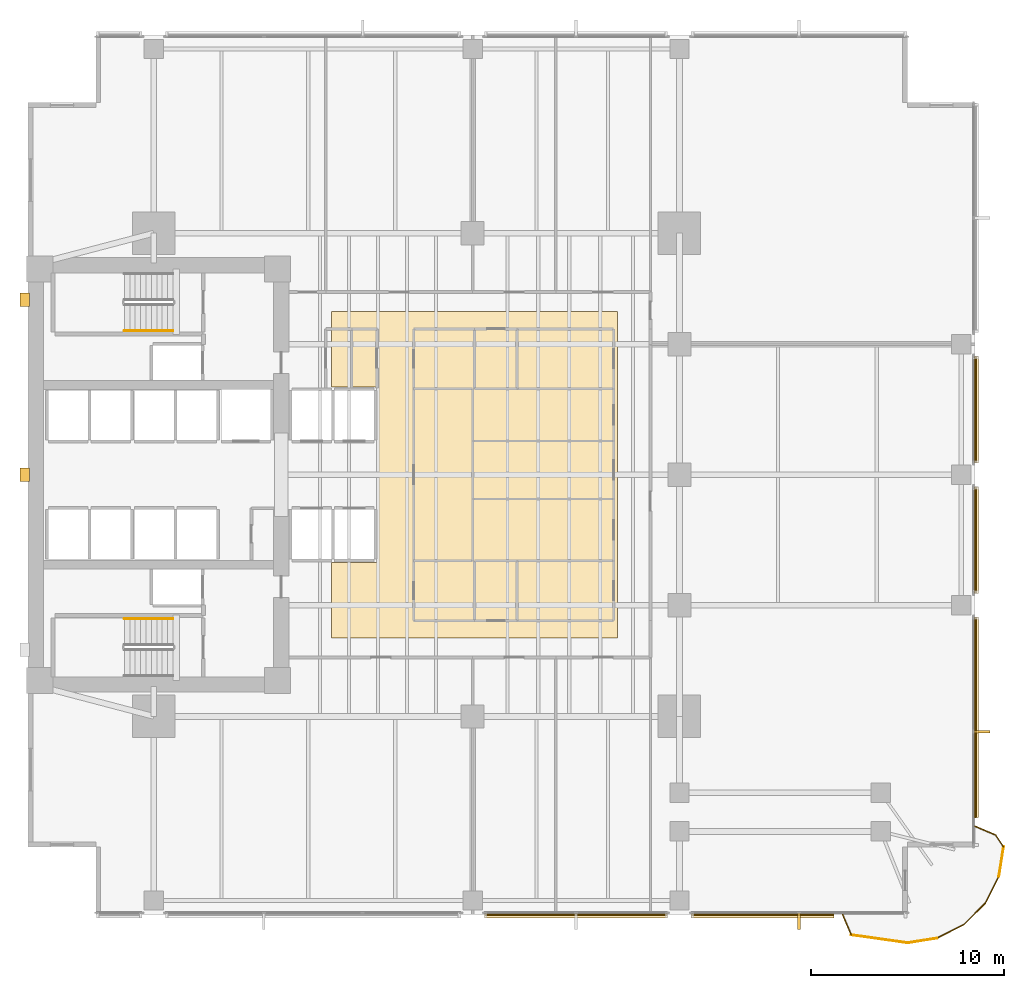
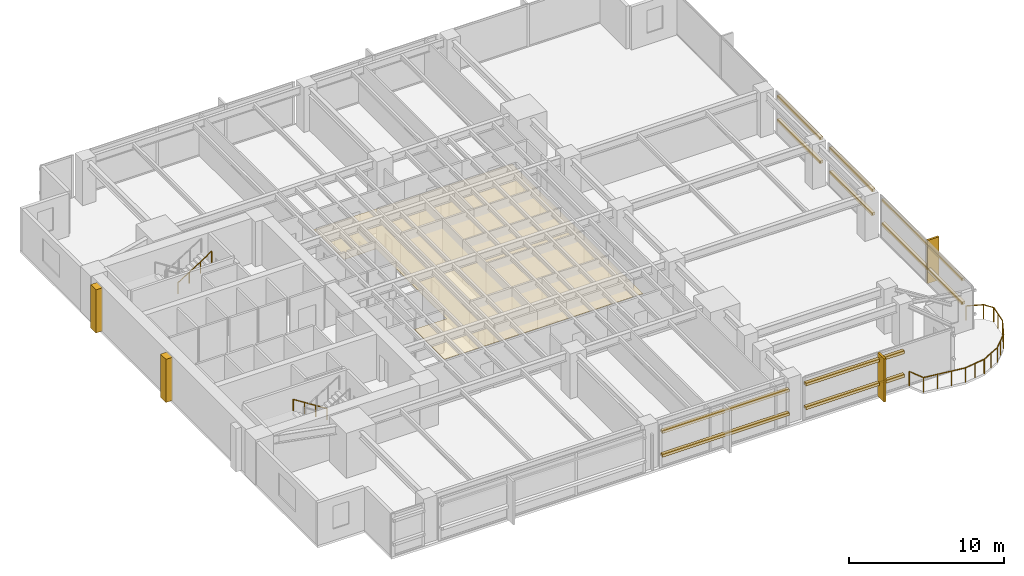
# One storey, part 13 of 15: 15 coverings, 11 railings, 10 shading devices.
"""IFC4 building model written with IfcOpenShell, lengths in metres."""

from ifc_helpers import new_model, si_unit, direction, frame, origin, origin_2d, place, context, subcontext, project, spatial, polyline, rectangle, circle, outline, extrude, material, layer, layer_set, material_profile, profile_set, type_object, element, save


model = new_model("IFC4")

# Units and contexts
model_context = context("Model", 3, precision=1e-05, world=origin(), true_north=direction((0.0, 1.0)))
body_context = subcontext(model_context, "Body", "Model", "MODEL_VIEW")
ifc_project = project(units=[si_unit("LENGTHUNIT", "METRE"), si_unit("AREAUNIT", "SQUARE_METRE"), si_unit("VOLUMEUNIT", "CUBIC_METRE"), si_unit("PLANEANGLEUNIT", "RADIAN"), si_unit("MASSUNIT", "GRAM", prefix="KILO")], contexts=[model_context])

# Site, building, storey
site_placement = place(None, origin())
site = spatial("IfcSite", under=ifc_project, at=site_placement, CompositionType="ELEMENT")
building_placement = place(site_placement, origin())
building = spatial("IfcBuilding", under=site, at=building_placement, Name="Kinhvarn Gate Tower", CompositionType="ELEMENT")
storey_placement = place(building_placement, frame((0.0, 0.0, 75.300048828125)))
storey = spatial("IfcBuildingStorey", under=building, at=storey_placement, Name="L19", CompositionType="ELEMENT", Elevation=75.300048828125)

# Coverings
ifc_material_1 = material(Name="Fired architectural terracotta", Category="masonry")
ifc_layer_1 = layer(ifc_material_1, 0.239990234375)
ifc_layer_set_1 = layer_set([ifc_layer_1], Name="Fired architectural terracotta")
covering_type_1 = type_object("IfcCoveringType", Name="COV-BAG-220", PredefinedType="CLADDING", material=ifc_layer_set_1)
for number, where, name in (
    (1, (0.0, 0.0, 0.93994140625), "Terracotta Horizontal Sunscreen Band TBG-220 (L19)"),
    (2, (0.0, 0.0, 2.81005859375), "Terracotta Horizontal Sunscreen Band TBG-220 (L19)"),
):
    element("IfcCovering", number, at=place(storey_placement, frame(where)), inside=storey, type_object=covering_type_1, Name=name, PredefinedType="CLADDING", context=body_context, shape_type="SweptSolid", body=[
        extrude(outline(polyline([(28.1201171875, 2.56005859375), (37.580078125, 2.56005859375), (37.580078125, 2.320068359375), (28.1201171875, 2.320068359375), (28.1201171875, 2.56005859375)])), origin(), (0.0, 0.0, 1.0), 0.219970703125),
    ])
for number, where, name in (
    (3, (0.0, 0.0, 0.93994140625), "Terracotta Horizontal Sunscreen Band TBG-220 (L19)"),
    (4, (0.0, 0.0, 2.81005859375), "Terracotta Horizontal Sunscreen Band TBG-220 (L19)"),
):
    element("IfcCovering", number, at=place(storey_placement, frame(where)), inside=storey, type_object=covering_type_1, Name=name, PredefinedType="CLADDING", context=body_context, shape_type="SweptSolid", body=[
        extrude(outline(polyline([(38.820068359375, 2.56005859375), (46.18994140625, 2.56005859375), (46.18994140625, 2.320068359375), (38.820068359375, 2.320068359375), (38.820068359375, 2.56005859375)])), origin(), (0.0, 0.0, 1.0), 0.219970703125),
    ])
for number, where, name in (
    (5, (0.0, 0.0, 0.93994140625), "Terracotta Horizontal Sunscreen Band TBG-220 (L19)"),
    (6, (0.0, 0.0, 2.81005859375), "Terracotta Horizontal Sunscreen Band TBG-220 (L19)"),
):
    element("IfcCovering", number, at=place(storey_placement, frame(where)), inside=storey, type_object=covering_type_1, Name=name, PredefinedType="CLADDING", context=body_context, shape_type="SweptSolid", body=[
        extrude(outline(polyline([(53.43994140625, 7.513916015625), (53.43994140625, 17.8798828125), (53.679931640625, 17.8798828125), (53.679931640625, 7.513916015625), (53.43994140625, 7.513916015625)])), origin(), (0.0, 0.0, 1.0), 0.219970703125),
    ])
for number, where, name in (
    (7, (0.0, 0.0, 0.93994140625), "Terracotta Horizontal Sunscreen Band TBG-220 (L19)"),
    (8, (0.0, 0.0, 2.81005859375), "Terracotta Horizontal Sunscreen Band TBG-220 (L19)"),
):
    element("IfcCovering", number, at=place(storey_placement, frame(where)), inside=storey, type_object=covering_type_1, Name=name, PredefinedType="CLADDING", context=body_context, shape_type="SweptSolid", body=[
        extrude(outline(polyline([(53.43994140625, 19.1201171875), (53.43994140625, 24.6298828125), (53.679931640625, 24.6298828125), (53.679931640625, 19.1201171875), (53.43994140625, 19.1201171875)])), origin(), (0.0, 0.0, 1.0), 0.219970703125),
    ])
for number, where, name in (
    (9, (0.0, 0.0, 0.93994140625), "Terracotta Horizontal Sunscreen Band TBG-220 (L19)"),
    (10, (0.0, 0.0, 2.81005859375), "Terracotta Horizontal Sunscreen Band TBG-220 (L19)"),
):
    element("IfcCovering", number, at=place(storey_placement, frame(where)), inside=storey, type_object=covering_type_1, Name=name, PredefinedType="CLADDING", context=body_context, shape_type="SweptSolid", body=[
        extrude(outline(polyline([(53.43994140625, 25.8701171875), (53.43994140625, 31.3798828125), (53.679931640625, 31.3798828125), (53.679931640625, 25.8701171875), (53.43994140625, 25.8701171875)])), origin(), (0.0, 0.0, 1.0), 0.219970703125),
    ])
ifc_material_2 = material(Name="Mineral-fibre acoustic ceiling tile")
ifc_layer_2 = layer(ifc_material_2, 0.02001953125)
ifc_layer_set_2 = layer_set([ifc_layer_2], Name="Mineral-fibre acoustic ceiling tile")
covering_type_2 = type_object("IfcCoveringType", Name="COV-CEIL-20", PredefinedType="CEILING", material=ifc_layer_set_2)
covering_1_placement = place(storey_placement, frame((0.0, 0.0, 2.64990234375)))
element("IfcCovering", 11, at=covering_1_placement, inside=storey, type_object=covering_type_2, Name="Suspended Acoustic Ceiling Tile (L19-1)", PredefinedType="CEILING", context=body_context, shape_type="SweptSolid", body=[
    extrude(outline(polyline([(35.0, 33.699951171875), (35.0, 16.800048828125), (20.199951171875, 16.800048828125), (20.199951171875, 20.699951171875), (22.60009765625, 20.699951171875), (22.60009765625, 29.800048828125), (20.199951171875, 29.800048828125), (20.199951171875, 33.699951171875), (35.0, 33.699951171875)])), origin(), (0.0, 0.0, 1.0), 0.02001953125),
])
ifc_layer_3 = layer(ifc_material_1, 0.139892578125)
ifc_layer_set_3 = layer_set([ifc_layer_3], Name="Fired architectural terracotta")
covering_type_3 = type_object("IfcCoveringType", Name="COV-FIN-850", PredefinedType="CLADDING", material=ifc_layer_set_3)
covering_2_placement = place(storey_placement, frame((0.0, 0.0, -0.02001953125)))
element("IfcCovering", 12, at=covering_2_placement, inside=storey, type_object=covering_type_3, Name="Vertical Terracotta Expressive Fin TFN-850 (L19)", PredefinedType="CLADDING", context=body_context, shape_type="SweptSolid", body=[
    extrude(outline(polyline([(44.320068359375, 2.570068359375), (44.4599609375, 2.570068359375), (44.4599609375, 1.719970703125), (44.320068359375, 1.719970703125), (44.320068359375, 2.570068359375)])), origin(), (0.0, 0.0, 1.0), 3.409912109375),
])
covering_3_placement = place(storey_placement, frame((0.0, 0.0, -0.02001953125)))
element("IfcCovering", 13, at=covering_3_placement, inside=storey, type_object=covering_type_3, Name="Vertical Terracotta Expressive Fin TFN-850 (L19)", PredefinedType="CLADDING", context=body_context, shape_type="SweptSolid", body=[
    extrude(outline(polyline([(53.429931640625, 11.889892578125), (53.429931640625, 12.030029296875), (54.280029296875, 12.030029296875), (54.280029296875, 11.889892578125), (53.429931640625, 11.889892578125)])), origin(), (0.0, 0.0, 1.0), 3.409912109375),
])
ifc_material_3 = material(Name="Precast white architectural concrete C40/50", Category="concrete")
ifc_layer_4 = layer(ifc_material_3, 0.47998046875)
ifc_layer_set_4 = layer_set([ifc_layer_4], Name="Precast white architectural concrete C40/50")
covering_type_4 = type_object("IfcCoveringType", Name="COV-RIB-450", PredefinedType="CLADDING", material=ifc_layer_set_4)
covering_4_placement = place(storey_placement, frame((0.0, 0.0, -0.02001953125)))
element("IfcCovering", 14, at=covering_4_placement, inside=storey, type_object=covering_type_4, Name="West Core Sculptural Concrete Relief Rib CRB-450 (L19)", PredefinedType="CLADDING", context=body_context, shape_type="SweptSolid", body=[
    extrude(outline(polyline([(4.080078125, 24.89990234375), (4.56005859375, 24.89990234375), (4.56005859375, 25.60009765625), (4.080078125, 25.60009765625), (4.080078125, 24.89990234375)])), origin(), (0.0, 0.0, 1.0), 3.409912109375),
])
covering_5_placement = place(storey_placement, frame((0.0, 0.0, -0.02001953125)))
element("IfcCovering", 15, at=covering_5_placement, inside=storey, type_object=covering_type_4, Name="West Core Sculptural Concrete Relief Rib CRB-450 (L19)", PredefinedType="CLADDING", context=body_context, shape_type="SweptSolid", body=[
    extrude(outline(polyline([(4.080078125, 33.949951171875), (4.56005859375, 33.949951171875), (4.56005859375, 34.64990234375), (4.080078125, 34.64990234375), (4.080078125, 33.949951171875)])), origin(), (0.0, 0.0, 1.0), 3.409912109375),
])

# Railings
ifc_material_4 = material(Name="Clear low-e double glazing", Category="glass")
railing_type_1 = type_object("IfcRailingType", Name="RL-BAL-1150", PredefinedType="BALUSTRADE", material=ifc_material_4)
railing_1_placement = place(storey_placement, frame((46.639892578125, 2.5, 0.0)))
element("IfcRailing", 16, at=railing_1_placement, inside=storey, type_object=railing_type_1, Name="S-Carve Balcony Guardrail Seg 1 (L19)", PredefinedType="BALUSTRADE", context=body_context, shape_type="SweptSolid", body=[
    extrude(circle(Radius=0.02392578125, at=origin_2d()), frame((0.0, 0.0, 1.1259765625), z_axis=(0.391892046363, -0.920011208626, 0.0), x_axis=(0.920011208626, 0.391892046363, 0.0)), (0.0, 0.0, 1.0), 1.148681640625),
    extrude(circle(Radius=0.02099609375, at=origin_2d()), origin(), (0.0, 0.0, 1.0), 1.101806640625),
    extrude(circle(Radius=0.02099609375, at=origin_2d()), frame((0.4501953125, -1.056884765625, 0.0)), (0.0, 0.0, 1.0), 1.101806640625),
])
railing_2_placement = place(storey_placement, frame((47.090087890625, 1.443115234375, 0.0)))
element("IfcRailing", 17, at=railing_2_placement, inside=storey, type_object=railing_type_1, Name="S-Carve Balcony Guardrail Seg 2 (L19)", PredefinedType="BALUSTRADE", context=body_context, shape_type="SweptSolid", body=[
    extrude(circle(Radius=0.02392578125, at=origin_2d()), frame((0.0, 0.0, 1.1259765625), z_axis=(0.990165976629, -0.139897600859, 0.0), x_axis=(0.139897600859, 0.990165976629, 0.0)), (0.0, 0.0, 1.0), 2.938720703125),
    extrude(circle(Radius=0.02099609375, at=origin_2d()), origin(), (0.0, 0.0, 1.0), 1.101806640625),
    extrude(circle(Radius=0.02099609375, at=origin_2d()), frame((0.969970703125, -0.136962890625, 0.0)), (0.0, 0.0, 1.0), 1.101806640625),
    extrude(circle(Radius=0.02099609375, at=origin_2d()), frame((1.93994140625, -0.274169921875, 0.0)), (0.0, 0.0, 1.0), 1.101806640625),
    extrude(circle(Radius=0.02099609375, at=origin_2d()), frame((2.909912109375, -0.4111328125, 0.0)), (0.0, 0.0, 1.0), 1.101806640625),
])
railing_3_placement = place(storey_placement, frame((50.0, 1.031982421875, 0.0)))
element("IfcRailing", 18, at=railing_3_placement, inside=storey, type_object=railing_type_1, Name="S-Carve Balcony Guardrail Seg 3 (L19)", PredefinedType="BALUSTRADE", context=body_context, shape_type="SweptSolid", body=[
    extrude(circle(Radius=0.02392578125, at=origin_2d()), frame((0.0, 0.0, 1.1259765625), z_axis=(0.987686431995, 0.156446514992, 0.0), x_axis=(-0.156446514992, 0.987686431995, 0.0)), (0.0, 0.0, 1.0), 1.55419921875),
    extrude(circle(Radius=0.02099609375, at=origin_2d()), origin(), (0.0, 0.0, 1.0), 1.101806640625),
    extrude(circle(Radius=0.02099609375, at=origin_2d()), frame((0.767578125, 0.12158203125, 0.0)), (0.0, 0.0, 1.0), 1.101806640625),
    extrude(circle(Radius=0.02099609375, at=origin_2d()), frame((1.53515625, 0.2431640625, 0.0)), (0.0, 0.0, 1.0), 1.101806640625),
])
railing_4_placement = place(storey_placement, frame((51.53515625, 1.275146484375, 0.0)))
element("IfcRailing", 19, at=railing_4_placement, inside=storey, type_object=railing_type_1, Name="S-Carve Balcony Guardrail Seg 4 (L19)", PredefinedType="BALUSTRADE", context=body_context, shape_type="SweptSolid", body=[
    extrude(circle(Radius=0.02392578125, at=origin_2d()), frame((0.0, 0.0, 1.1259765625), z_axis=(0.891040695501, 0.453923428521, 0.0), x_axis=(-0.453923428521, 0.891040695501, 0.0)), (0.0, 0.0, 1.0), 1.554443359375),
    extrude(circle(Radius=0.02099609375, at=origin_2d()), origin(), (0.0, 0.0, 1.0), 1.101806640625),
    extrude(circle(Radius=0.02099609375, at=origin_2d()), frame((0.6923828125, 0.352783203125, 0.0)), (0.0, 0.0, 1.0), 1.101806640625),
    extrude(circle(Radius=0.02099609375, at=origin_2d()), frame((1.385009765625, 0.70556640625, 0.0)), (0.0, 0.0, 1.0), 1.101806640625),
])
railing_5_placement = place(storey_placement, frame((52.920166015625, 1.980712890625, 0.0)))
element("IfcRailing", 20, at=railing_5_placement, inside=storey, type_object=railing_type_1, Name="S-Carve Balcony Guardrail Seg 5 (L19)", PredefinedType="BALUSTRADE", context=body_context, shape_type="SweptSolid", body=[
    extrude(circle(Radius=0.02392578125, at=origin_2d()), frame((0.0, 0.0, 1.1259765625), z_axis=(0.707106781187, 0.707106781187, 0.0), x_axis=(-0.707106781187, 0.707106781187, 0.0)), (0.0, 0.0, 1.0), 1.554443359375),
    extrude(circle(Radius=0.02099609375, at=origin_2d()), origin(), (0.0, 0.0, 1.0), 1.101806640625),
    extrude(circle(Radius=0.02099609375, at=origin_2d()), frame((0.549560546875, 0.549560546875, 0.0)), (0.0, 0.0, 1.0), 1.101806640625),
    extrude(circle(Radius=0.02099609375, at=origin_2d()), frame((1.09912109375, 1.09912109375, 0.0)), (0.0, 0.0, 1.0), 1.101806640625),
])
railing_6_placement = place(storey_placement, frame((54.019287109375, 3.079833984375, 0.0)))
element("IfcRailing", 21, at=railing_6_placement, inside=storey, type_object=railing_type_1, Name="S-Carve Balcony Guardrail Seg 6 (L19)", PredefinedType="BALUSTRADE", context=body_context, shape_type="SweptSolid", body=[
    extrude(circle(Radius=0.02392578125, at=origin_2d()), frame((0.0, 0.0, 1.1259765625), z_axis=(0.453923428521, 0.891040695501, 0.0), x_axis=(-0.891040695501, 0.453923428521, 0.0)), (0.0, 0.0, 1.0), 1.554443359375),
    extrude(circle(Radius=0.02099609375, at=origin_2d()), origin(), (0.0, 0.0, 1.0), 1.101806640625),
    extrude(circle(Radius=0.02099609375, at=origin_2d()), frame((0.352783203125, 0.6923828125, 0.0)), (0.0, 0.0, 1.0), 1.101806640625),
    extrude(circle(Radius=0.02099609375, at=origin_2d()), frame((0.70556640625, 1.385009765625, 0.0)), (0.0, 0.0, 1.0), 1.101806640625),
])
railing_7_placement = place(storey_placement, frame((54.724853515625, 4.46484375, 0.0)))
element("IfcRailing", 22, at=railing_7_placement, inside=storey, type_object=railing_type_1, Name="S-Carve Balcony Guardrail Seg 7 (L19)", PredefinedType="BALUSTRADE", context=body_context, shape_type="SweptSolid", body=[
    extrude(circle(Radius=0.02392578125, at=origin_2d()), frame((0.0, 0.0, 1.1259765625), z_axis=(0.156446514992, 0.987686431995, 0.0), x_axis=(-0.987686431995, 0.156446514992, 0.0)), (0.0, 0.0, 1.0), 1.55419921875),
    extrude(circle(Radius=0.02099609375, at=origin_2d()), origin(), (0.0, 0.0, 1.0), 1.101806640625),
    extrude(circle(Radius=0.02099609375, at=origin_2d()), frame((0.12158203125, 0.767578125, 0.0)), (0.0, 0.0, 1.0), 1.101806640625),
    extrude(circle(Radius=0.02099609375, at=origin_2d()), frame((0.2431640625, 1.53515625, 0.0)), (0.0, 0.0, 1.0), 1.101806640625),
])
railing_8_placement = place(storey_placement, frame((54.968017578125, 6.0, 0.0)))
element("IfcRailing", 23, at=railing_8_placement, inside=storey, type_object=railing_type_1, Name="S-Carve Balcony Guardrail Seg 8 (L19)", PredefinedType="BALUSTRADE", context=body_context, shape_type="SweptSolid", body=[
    extrude(circle(Radius=0.02392578125, at=origin_2d()), frame((0.0, 0.0, 1.1259765625), z_axis=(-0.556376432698, 0.830930361185, 0.0), x_axis=(-0.830930361185, -0.556376432698, 0.0)), (0.0, 0.0, 1.0), 0.739013671875),
    extrude(circle(Radius=0.02099609375, at=origin_2d()), origin(), (0.0, 0.0, 1.0), 1.101806640625),
    extrude(circle(Radius=0.02099609375, at=origin_2d()), frame((-0.4111328125, 0.614013671875, 0.0)), (0.0, 0.0, 1.0), 1.101806640625),
])
railing_9_placement = place(storey_placement, frame((54.556884765625, 6.614013671875, 0.0)))
element("IfcRailing", 24, at=railing_9_placement, inside=storey, type_object=railing_type_1, Name="S-Carve Balcony Guardrail Seg 9 (L19)", PredefinedType="BALUSTRADE", context=body_context, shape_type="SweptSolid", body=[
    extrude(circle(Radius=0.02392578125, at=origin_2d()), frame((0.0, 0.0, 1.1259765625), z_axis=(-0.920087821468, 0.391712140209, 0.0), x_axis=(-0.391712140209, -0.920087821468, 0.0)), (0.0, 0.0, 1.0), 1.148681640625),
    extrude(circle(Radius=0.02099609375, at=origin_2d()), origin(), (0.0, 0.0, 1.0), 1.101806640625),
    extrude(circle(Radius=0.02099609375, at=origin_2d()), frame((-1.056884765625, 0.449951171875, 0.0)), (0.0, 0.0, 1.0), 1.101806640625),
])
ifc_material_5 = material(Name="Steel S355", Category="steel")
railing_type_2 = type_object("IfcRailingType", Name="RL-ST-HND", PredefinedType="HANDRAIL", material=ifc_material_5)
railing_10_placement = place(storey_placement, frame((12.0, 17.800048828125, 0.177490234375)))
element("IfcRailing", 25, at=railing_10_placement, inside=storey, type_object=railing_type_2, Name="L19 ST1 stair handrail 1", PredefinedType="HANDRAIL", context=body_context, shape_type="SweptSolid", body=[
    extrude(circle(Radius=0.02392578125, at=origin_2d()), frame((0.0, 0.0, 0.8759765625), z_axis=(-0.84460694969, 0.0, 0.535386869969), x_axis=(0.0, -1.0, 0.0)), (0.0, 0.0, 1.0), 2.983642578125),
    extrude(circle(Radius=0.02099609375, at=origin_2d()), origin(), (0.0, 0.0, 1.0), 0.851806640625),
    extrude(circle(Radius=0.02099609375, at=origin_2d()), frame((-0.840087890625, 0.0, 0.532470703125)), (0.0, 0.0, 1.0), 0.851806640625),
    extrude(circle(Radius=0.02099609375, at=origin_2d()), frame((-1.679931640625, 0.0, 1.06494140625)), (0.0, 0.0, 1.0), 0.851806640625),
    extrude(circle(Radius=0.02099609375, at=origin_2d()), frame((-2.52001953125, 0.0, 1.597412109375)), (0.0, 0.0, 1.0), 0.851806640625),
])
railing_11_placement = place(storey_placement, frame((9.47998046875, 32.699951171875, 1.952392578125)))
element("IfcRailing", 26, at=railing_11_placement, inside=storey, type_object=railing_type_2, Name="L19 ST2 stair handrail 2", PredefinedType="HANDRAIL", context=body_context, shape_type="SweptSolid", body=[
    extrude(circle(Radius=0.02392578125, at=origin_2d()), frame((0.0, 0.0, 0.8759765625), z_axis=(0.84456994832, 0.0, 0.535445237532), x_axis=(0.0, 1.0, 0.0)), (0.0, 0.0, 1.0), 2.98388671875),
    extrude(circle(Radius=0.02099609375, at=origin_2d()), origin(), (0.0, 0.0, 1.0), 0.851806640625),
    extrude(circle(Radius=0.02099609375, at=origin_2d()), frame((0.840087890625, 0.0, 0.532470703125)), (0.0, 0.0, 1.0), 0.851806640625),
    extrude(circle(Radius=0.02099609375, at=origin_2d()), frame((1.679931640625, 0.0, 1.065185546875)), (0.0, 0.0, 1.0), 0.851806640625),
    extrude(circle(Radius=0.02099609375, at=origin_2d()), frame((2.52001953125, 0.0, 1.59765625)), (0.0, 0.0, 1.0), 0.851806640625),
])

# Shading devices
ifc_material_profile = material_profile(ifc_material_1, rectangle(XDim=0.06005859375, YDim=0.139892578125, at=origin_2d()), Name="TC 60x140")
ifc_profile_set = profile_set([ifc_material_profile], Name="Fired architectural terracotta")
shading_device_type = type_object("IfcShadingDeviceType", Name="SHD-BAG-180", PredefinedType="USERDEFINED", material=ifc_profile_set)
for number, where, z_axis, x_axis, name in (
    (27, (28.1201171875, 2.485107421875, 1.050048828125), (1.0, 0.0, 0.0), (0.0, 1.0, 0.0), "Fired Terracotta Baguette Screen Rod 60x140 mm (L19)"),
    (28, (28.1201171875, 2.485107421875, 2.919921875), (1.0, 0.0, 0.0), (0.0, 1.0, 0.0), "Fired Terracotta Baguette Screen Rod 60x140 mm (L19)"),
):
    element("IfcShadingDevice", number, at=place(storey_placement, frame(where, z_axis=z_axis, x_axis=x_axis)), inside=storey, type_object=shading_device_type, Name=name, ObjectType="BAGUETTE", PredefinedType="USERDEFINED", context=body_context, shape_type="SweptSolid", body=[
        extrude(rectangle(XDim=0.06005859375, YDim=0.139892578125, at=origin_2d()), origin(), (0.0, 0.0, 1.0), 9.4599609375),
    ])
for number, where, z_axis, x_axis, name in (
    (29, (38.820068359375, 2.485107421875, 1.050048828125), (1.0, 0.0, 0.0), (0.0, 1.0, 0.0), "Fired Terracotta Baguette Screen Rod 60x140 mm (L19)"),
    (30, (38.820068359375, 2.485107421875, 2.919921875), (1.0, 0.0, 0.0), (0.0, 1.0, 0.0), "Fired Terracotta Baguette Screen Rod 60x140 mm (L19)"),
):
    element("IfcShadingDevice", number, at=place(storey_placement, frame(where, z_axis=z_axis, x_axis=x_axis)), inside=storey, type_object=shading_device_type, Name=name, ObjectType="BAGUETTE", PredefinedType="USERDEFINED", context=body_context, shape_type="SweptSolid", body=[
        extrude(rectangle(XDim=0.06005859375, YDim=0.139892578125, at=origin_2d()), origin(), (0.0, 0.0, 1.0), 7.369873046875),
    ])
for number, where, z_axis, x_axis, name in (
    (31, (53.514892578125, 7.513916015625, 1.050048828125), (0.0, 1.0, 0.0), (-1.0, 0.0, 0.0), "Fired Terracotta Baguette Screen Rod 60x140 mm (L19)"),
    (32, (53.514892578125, 7.513916015625, 2.919921875), (0.0, 1.0, 0.0), (-1.0, 0.0, 0.0), "Fired Terracotta Baguette Screen Rod 60x140 mm (L19)"),
):
    element("IfcShadingDevice", number, at=place(storey_placement, frame(where, z_axis=z_axis, x_axis=x_axis)), inside=storey, type_object=shading_device_type, Name=name, ObjectType="BAGUETTE", PredefinedType="USERDEFINED", context=body_context, shape_type="SweptSolid", body=[
        extrude(rectangle(XDim=0.06005859375, YDim=0.139892578125, at=origin_2d()), origin(), (0.0, 0.0, 1.0), 10.365966796875),
    ])
for number, where, z_axis, x_axis, name in (
    (33, (53.514892578125, 19.1201171875, 1.050048828125), (0.0, 1.0, 0.0), (-1.0, 0.0, 0.0), "Fired Terracotta Baguette Screen Rod 60x140 mm (L19)"),
    (34, (53.514892578125, 19.1201171875, 2.919921875), (0.0, 1.0, 0.0), (-1.0, 0.0, 0.0), "Fired Terracotta Baguette Screen Rod 60x140 mm (L19)"),
    (35, (53.514892578125, 25.8701171875, 1.050048828125), (0.0, 1.0, 0.0), (-1.0, 0.0, 0.0), "Fired Terracotta Baguette Screen Rod 60x140 mm (L19)"),
    (36, (53.514892578125, 25.8701171875, 2.919921875), (0.0, 1.0, 0.0), (-1.0, 0.0, 0.0), "Fired Terracotta Baguette Screen Rod 60x140 mm (L19)"),
):
    element("IfcShadingDevice", number, at=place(storey_placement, frame(where, z_axis=z_axis, x_axis=x_axis)), inside=storey, type_object=shading_device_type, Name=name, ObjectType="BAGUETTE", PredefinedType="USERDEFINED", context=body_context, shape_type="SweptSolid", body=[
        extrude(rectangle(XDim=0.06005859375, YDim=0.139892578125, at=origin_2d()), origin(), (0.0, 0.0, 1.0), 5.509765625),
    ])

save(model, "model.ifc")
